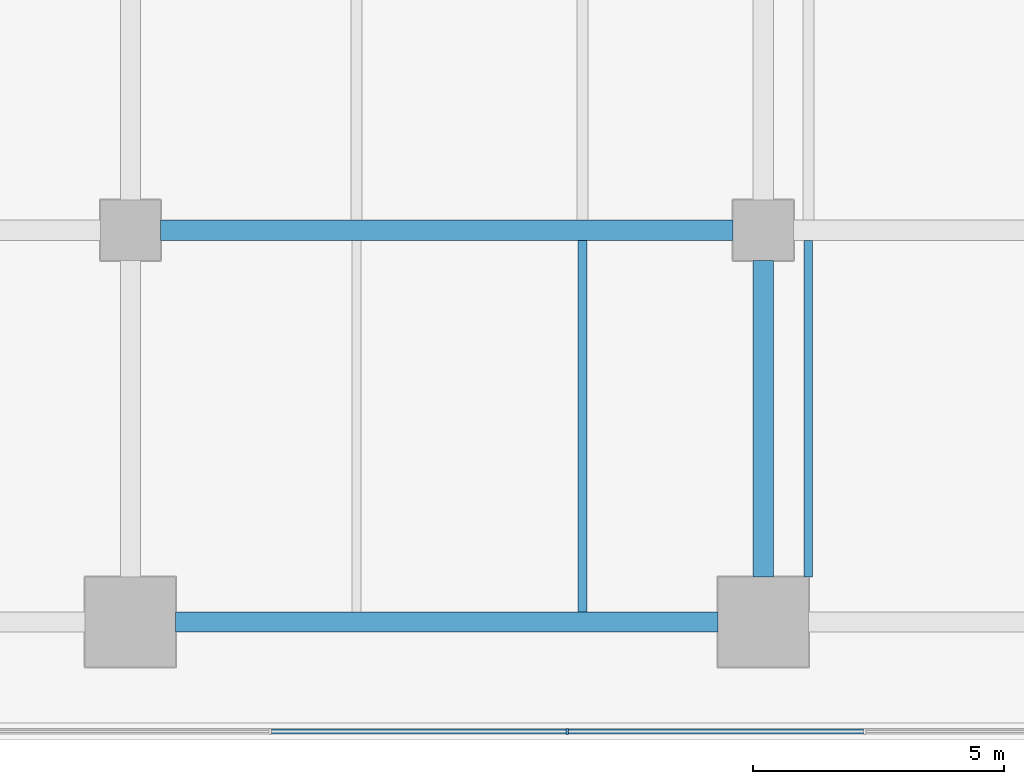
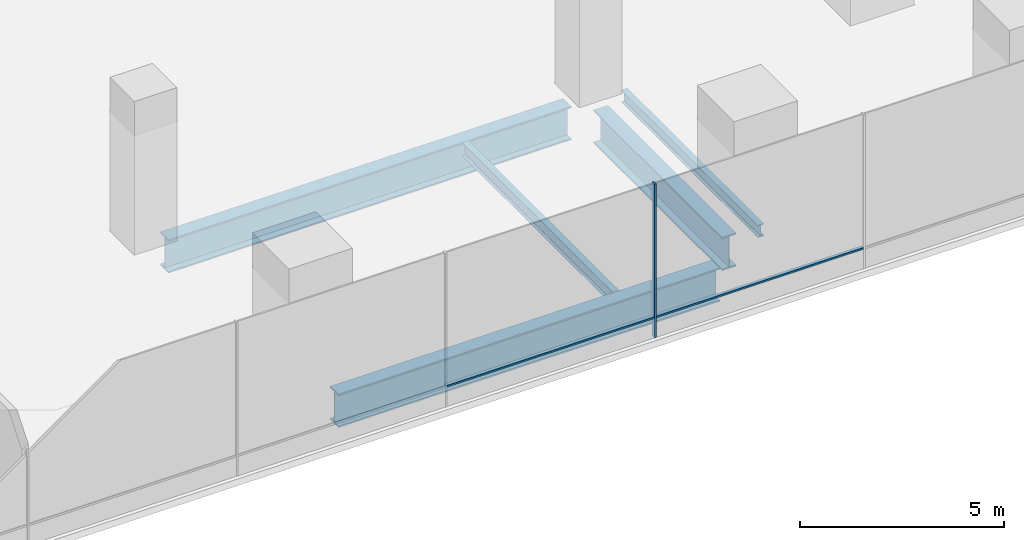
# One storey, part 7 of 29: 5 beams, 3 members, 1 element without a shape of its own.
"""IFC4 building model written with IfcOpenShell, lengths in metres."""

from ifc_helpers import new_model, si_unit, direction, frame, origin, origin_2d, place, context, subcontext, project, spatial, rectangle, i_section, extrude, material, layer, layer_set, material_profile, profile_set, type_object, element, aggregate, save


model = new_model("IFC4")

# Units and contexts
model_context = context("Model", 3, precision=1e-05, world=origin(), true_north=direction((0.0, 1.0)))
body_context = subcontext(model_context, "Body", "Model", "MODEL_VIEW")
ifc_project = project(units=[si_unit("LENGTHUNIT", "METRE"), si_unit("AREAUNIT", "SQUARE_METRE"), si_unit("VOLUMEUNIT", "CUBIC_METRE"), si_unit("PLANEANGLEUNIT", "RADIAN"), si_unit("MASSUNIT", "GRAM", prefix="KILO")], contexts=[model_context])

# Site, building, storey
site_placement = place(None, origin())
site = spatial("IfcSite", under=ifc_project, at=site_placement, CompositionType="ELEMENT")
building_placement = place(site_placement, origin())
building = spatial("IfcBuilding", under=site, at=building_placement, Name="Rattan Terrace Tower", CompositionType="ELEMENT")
storey_placement = place(building_placement, frame((0.0, 0.0, 12.60009765625)))
storey = spatial("IfcBuildingStorey", under=building, at=storey_placement, Name="L02", CompositionType="ELEMENT", Elevation=12.60009765625)

# Beams
ifc_material_1 = material(Name="Steel S355", Category="steel")
ifc_material_profile_1 = material_profile(ifc_material_1, i_section(OverallWidth=0.169921875, OverallDepth=0.360107421875, WebThickness=0.008056640625, FlangeThickness=0.0126953125, FilletRadius=0.01806640625, at=origin_2d()), Name="IPE 360")
ifc_profile_set_1 = profile_set([ifc_material_profile_1], Name="Steel S355")
beam_type_1 = type_object("IfcBeamType", Name="Frame floor beam IPE 360", PredefinedType="JOIST", material=ifc_profile_set_1)
beam_1_placement = place(storey_placement, frame((27.0, -34.0, -0.380126953125), z_axis=(0.0, 1.0, 0.0), x_axis=(-1.0, 0.0, 0.0)))
element("IfcBeam", 1, at=beam_1_placement, inside=storey, type_object=beam_type_1, Name="bm-L02-014", PredefinedType="JOIST", context=body_context, shape_type="SweptSolid", body=[
    extrude(i_section(OverallWidth=0.169921875, OverallDepth=0.360107421875, WebThickness=0.008056640625, FlangeThickness=0.0126953125, FilletRadius=0.01806640625, at=origin_2d()), origin(), (0.0, 0.0, 1.0), 6.699951171875),
])
ifc_material_2 = material(Name="Steel S355", Category="steel")
ifc_material_profile_2 = material_profile(ifc_material_2, i_section(OverallWidth=0.179931640625, OverallDepth=0.39990234375, WebThickness=0.008544921875, FlangeThickness=0.013427734375, FilletRadius=0.02099609375, at=origin_2d()), Name="IPE 400")
ifc_profile_set_2 = profile_set([ifc_material_profile_2], Name="Steel S355")
beam_type_2 = type_object("IfcBeamType", Name="Frame floor beam IPE 400", PredefinedType="JOIST", material=ifc_profile_set_2)
beam_2_placement = place(storey_placement, frame((22.5, -34.699951171875, -0.400146484375), z_axis=(0.0, 1.0, 0.0), x_axis=(-1.0, 0.0, 0.0)))
element("IfcBeam", 2, at=beam_2_placement, inside=storey, type_object=beam_type_2, Name="bm-L02-011", PredefinedType="JOIST", context=body_context, shape_type="SweptSolid", body=[
    extrude(i_section(OverallWidth=0.179931640625, OverallDepth=0.39990234375, WebThickness=0.008544921875, FlangeThickness=0.013427734375, FilletRadius=0.02099609375, at=origin_2d()), origin(), (0.0, 0.0, 1.0), 7.39990234375),
])
ifc_material_3 = material(Name="Steel S460", Category="steel")
ifc_material_profile_3 = material_profile(ifc_material_3, i_section(OverallWidth=0.39990234375, OverallDepth=1.0, WebThickness=0.01806640625, FlangeThickness=0.044921875, at=origin_2d()), Name="PG 1000x400-18-45")
ifc_profile_set_3 = profile_set([ifc_material_profile_3], Name="Steel S460")
beam_type_3 = type_object("IfcBeamType", Name="Frame podium girder PG 1000x400-18-45", PredefinedType="USERDEFINED", material=ifc_profile_set_3)
beam_3_placement = place(storey_placement, frame((14.39990234375, -34.89990234375, -0.7001953125), z_axis=(1.0, 0.0, 0.0), x_axis=(0.0, 1.0, 0.0)))
element("IfcBeam", 3, at=beam_3_placement, inside=storey, type_object=beam_type_3, Name="gdr-L02-005", ObjectType="PODIUM GIRDER", PredefinedType="USERDEFINED", context=body_context, shape_type="SweptSolid", body=[
    extrude(i_section(OverallWidth=0.39990234375, OverallDepth=1.0, WebThickness=0.01806640625, FlangeThickness=0.044921875, at=origin_2d()), origin(), (0.0, 0.0, 1.0), 10.800048828125),
])
beam_4_placement = place(storey_placement, frame((26.10009765625, -34.0, -0.7001953125), z_axis=(0.0, 1.0, 0.0), x_axis=(-1.0, 0.0, 0.0)))
element("IfcBeam", 4, at=beam_4_placement, inside=storey, type_object=beam_type_3, Name="gdr-L02-012", ObjectType="PODIUM GIRDER", PredefinedType="USERDEFINED", context=body_context, shape_type="SweptSolid", body=[
    extrude(i_section(OverallWidth=0.39990234375, OverallDepth=1.0, WebThickness=0.01806640625, FlangeThickness=0.044921875, at=origin_2d()), origin(), (0.0, 0.0, 1.0), 6.300048828125),
])
beam_5_placement = place(storey_placement, frame((14.10009765625, -27.10009765625, -0.7001953125), z_axis=(1.0, 0.0, 0.0), x_axis=(0.0, 1.0, 0.0)))
element("IfcBeam", 5, at=beam_5_placement, inside=storey, type_object=beam_type_3, Name="gdr-L02-018", ObjectType="PODIUM GIRDER", PredefinedType="USERDEFINED", context=body_context, shape_type="SweptSolid", body=[
    extrude(i_section(OverallWidth=0.39990234375, OverallDepth=1.0, WebThickness=0.01806640625, FlangeThickness=0.044921875, at=origin_2d()), origin(), (0.0, 0.0, 1.0), 11.39990234375),
])

# Curtain wall, members
ifc_material_4 = material(Name="Aluminium and glass", Category="aluminium")
ifc_layer = layer(ifc_material_4, 0.1201171875)
ifc_layer_set = layer_set([ifc_layer], Name="Station Storefront Curtain Wall")
curtain_wall_type = type_object("IfcCurtainWallType", Name="Station Storefront Curtain Wall", PredefinedType="NOTDEFINED", material=ifc_layer_set)
curtain_wall_placement = place(storey_placement, origin())
curtain_wall = element("IfcCurtainWall", 6, at=curtain_wall_placement, inside=storey, type_object=curtain_wall_type, Name="Storefront curtain wall L02-4", PredefinedType="NOTDEFINED")
ifc_material_5 = material(Name="Aluminium", Category="aluminium")
ifc_material_profile_4 = material_profile(ifc_material_5, rectangle(XDim=0.050048828125, YDim=0.1201171875, at=origin_2d()), Name="Aluminium 50x120")
ifc_profile_set_4 = profile_set([ifc_material_profile_4], Name="Aluminium")
member_type_1 = type_object("IfcMemberType", Name="Storefront CW Mullion 50x120", PredefinedType="MULLION", material=ifc_profile_set_4)
member_1_placement = place(storey_placement, frame((22.199951171875, -37.080078125, 0.0), z_axis=(0.0, 0.0, 1.0), x_axis=(1.0, 0.0, 0.0)))
member_1 = element("IfcMember", 7, at=member_1_placement, type_object=member_type_1, Name="Mullion cwl-L02-004.11", PredefinedType="MULLION", context=body_context, shape_type="SweptSolid", body=[
    extrude(rectangle(XDim=0.050048828125, YDim=0.1201171875, at=origin_2d()), origin(), (0.0, 0.0, 1.0), 4.599853515625),
])
ifc_material_6 = material(Name="Aluminium", Category="aluminium")
ifc_material_profile_5 = material_profile(ifc_material_6, rectangle(XDim=0.10009765625, YDim=0.050048828125, at=origin_2d()), Name="Aluminium 100x50")
ifc_profile_set_5 = profile_set([ifc_material_profile_5], Name="Aluminium")
member_type_2 = type_object("IfcMemberType", Name="Storefront CW Transom 100x50", PredefinedType="USERDEFINED", material=ifc_profile_set_5)
member_2_placement = place(storey_placement, frame((16.304931640625, -37.080078125, 0.599853515625), z_axis=(1.0, 0.0, 0.0), x_axis=(0.0, 1.0, 0.0)))
member_2 = element("IfcMember", 8, at=member_2_placement, type_object=member_type_2, Name="Transom cwl-L02-004.10", ObjectType="TRANSOM", PredefinedType="USERDEFINED", context=body_context, shape_type="SweptSolid", body=[
    extrude(rectangle(XDim=0.10009765625, YDim=0.050048828125, at=origin_2d()), origin(), (0.0, 0.0, 1.0), 5.8701171875),
])
member_3_placement = place(storey_placement, frame((22.22509765625, -37.080078125, 0.599853515625), z_axis=(1.0, 0.0, 0.0), x_axis=(0.0, 1.0, 0.0)))
member_3 = element("IfcMember", 9, at=member_3_placement, type_object=member_type_2, Name="Transom cwl-L02-004.11", ObjectType="TRANSOM", PredefinedType="USERDEFINED", context=body_context, shape_type="SweptSolid", body=[
    extrude(rectangle(XDim=0.10009765625, YDim=0.050048828125, at=origin_2d()), origin(), (0.0, 0.0, 1.0), 5.869873046875),
])
aggregate(curtain_wall, [member_1, member_2, member_3])

save(model, "model.ifc")
